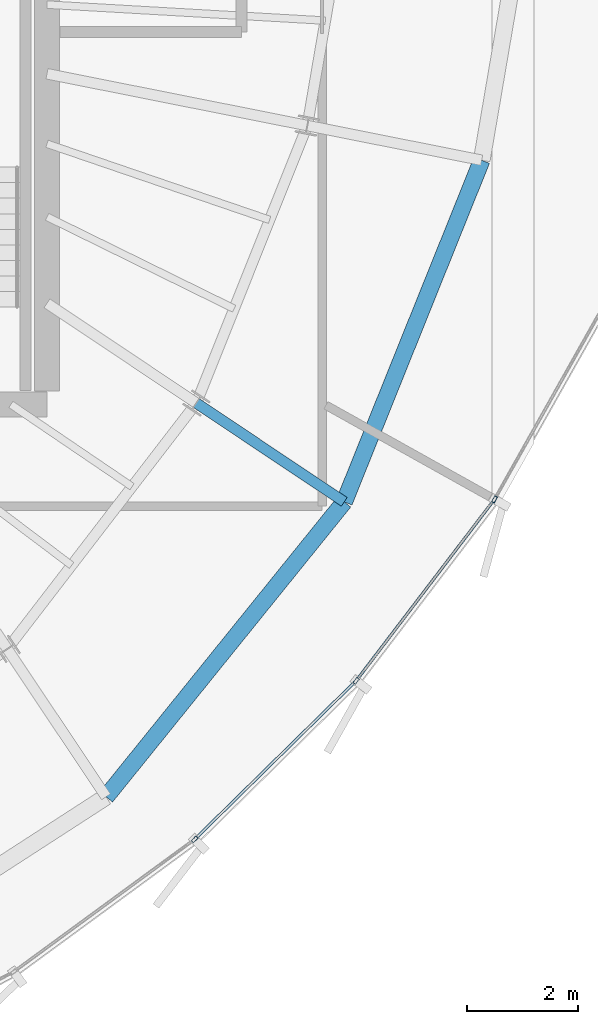
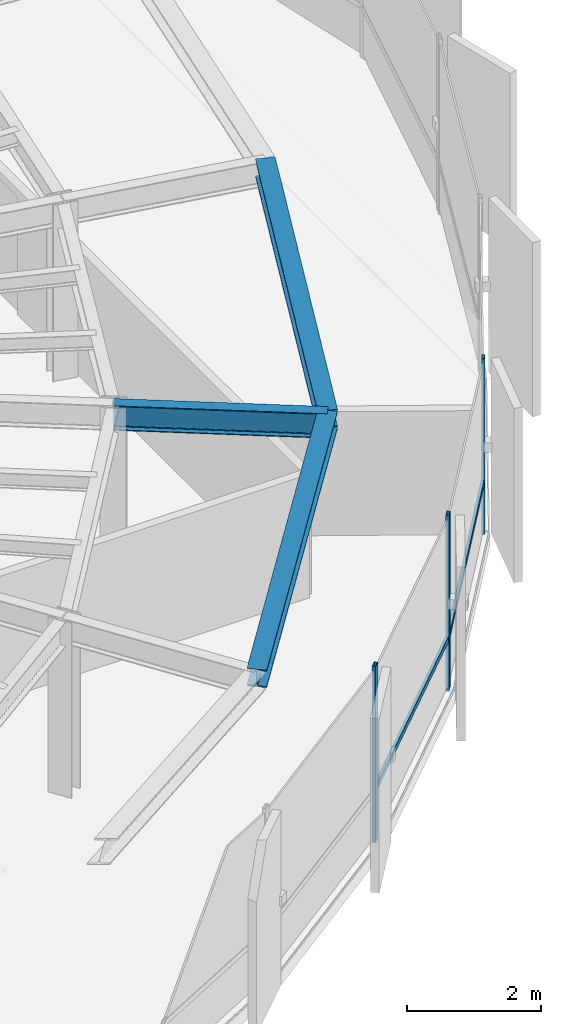
# One storey, part 13 of 34: 5 members, 3 beams, 1 element without a shape of its own.
"""IFC4 building model written with IfcOpenShell, lengths in metres."""

import ifcopenshell
import ifcopenshell.guid

model = None  # the IFC model being written
_history = None  # IfcOwnerHistory: only IFC2X3 demands one
_inside = {}  # id of a spatial element -> (the spatial element, [elements in it])
_under = {}  # id of a project, library or spatial element -> (it, [spatial elements below it])
_declared = {}  # id of a project -> (the project, [libraries it declares])
_typed = {}  # id of a type object -> (the type object, [elements of that type])
_made_of = {}  # id of a material, layer set ... -> (it, [elements and type objects made of it])


def new_model(schema):
    """Start an empty IFC model of exactly this schema.

    Asked for "IFC4X3", IfcOpenShell would pick the latest addendum, in which some entities
    have other attributes; the version numbers below select the first issue.
    IFC2X3 requires an IfcOwnerHistory on every rooted entity: one is made here for all.
    """
    global model, _history
    if schema == "IFC4X3":
        model = ifcopenshell.file(schema_version=(4, 3, 0, 0))
    else:
        model = ifcopenshell.file(schema=schema)
    _inside.clear()
    _under.clear()
    _declared.clear()
    _typed.clear()
    _made_of.clear()
    _history = None
    if model.schema == "IFC2X3":
        org = make("IfcOrganization", Name="unknown")
        user = make(
            "IfcPersonAndOrganization",
            ThePerson=make("IfcPerson", FamilyName="unknown"),
            TheOrganization=org,
        )
        app = make(
            "IfcApplication",
            ApplicationDeveloper=org,
            Version="unknown",
            ApplicationFullName="unknown",
            ApplicationIdentifier="unknown",
        )
        _history = make(
            "IfcOwnerHistory",
            OwningUser=user,
            OwningApplication=app,
            ChangeAction="ADDED",
            CreationDate=0,
        )
    return model


def make(cls, **values):
    """One entity of the class cls with the attributes given. An attribute that is None is left unset."""
    return model.create_entity(
        cls, **{name: value for name, value in values.items() if value is not None}
    )


def rooted(cls, **values):
    """An entity with a GlobalId (a new one), such as an element, a storey or a relation."""
    return make(cls, GlobalId=ifcopenshell.guid.new(), OwnerHistory=_history, **values)


def si_unit(unit_type, name, prefix=None):
    """IfcSIUnit, for example si_unit("LENGTHUNIT", "METRE", prefix="MILLI")."""
    return make("IfcSIUnit", UnitType=unit_type, Prefix=prefix, Name=name)


def assignment(units):
    """IfcUnitAssignment: the units of a project."""
    return None if units is None else make("IfcUnitAssignment", Units=units)


def point(xyz):
    """IfcCartesianPoint."""
    return None if xyz is None else make("IfcCartesianPoint", Coordinates=xyz)


def direction(xyz):
    """IfcDirection."""
    return None if xyz is None else make("IfcDirection", DirectionRatios=xyz)


def frame(location, z_axis=None, x_axis=None):
    """IfcAxis2Placement3D, a coordinate frame: its origin and axes. An axis left out is left unset."""
    return make(
        "IfcAxis2Placement3D",
        Location=point(location),
        Axis=direction(z_axis),
        RefDirection=direction(x_axis),
    )


def frame_2d(location, x_axis=None):
    """IfcAxis2Placement2D, a coordinate frame in the plane: its origin and x axis."""
    return make(
        "IfcAxis2Placement2D", Location=point(location), RefDirection=direction(x_axis)
    )


def origin():
    """The frame at (0, 0, 0) with its axes left unset."""
    return frame((0.0, 0.0, 0.0))


def origin_2d():
    """The frame at (0, 0) in the plane with its x axis left unset."""
    return frame_2d((0.0, 0.0))


def place(relative_to, where):
    """IfcLocalPlacement: puts the frame where relative to a parent placement (None: the world)."""
    return make(
        "IfcLocalPlacement", PlacementRelTo=relative_to, RelativePlacement=where
    )


def context(
    kind, dimensions, precision=None, world=None, true_north=None, identifier=None
):
    """IfcGeometricRepresentationContext, for example the 3D "Model" context."""
    return make(
        "IfcGeometricRepresentationContext",
        ContextIdentifier=identifier,
        ContextType=kind,
        CoordinateSpaceDimension=dimensions,
        Precision=precision,
        WorldCoordinateSystem=world,
        TrueNorth=true_north,
    )


def subcontext(parent, identifier, kind, view, scale=None):
    """IfcGeometricRepresentationSubContext, for example "Body" below "Model"."""
    return make(
        "IfcGeometricRepresentationSubContext",
        ContextIdentifier=identifier,
        ContextType=kind,
        ParentContext=parent,
        TargetScale=scale,
        TargetView=view,
    )


def project(units=None, contexts=None):
    """IfcProject with its units and contexts."""
    return rooted(
        "IfcProject",
        Name="project",
        RepresentationContexts=contexts,
        UnitsInContext=assignment(units),
    )


def spatial(cls, under=None, at=None, **own):
    """A site, building, storey or space (cls), placed at a placement, below another one or the project."""
    s = rooted(cls, ObjectPlacement=at, **own)
    if under is not None:
        _under.setdefault(under.id(), (under, []))[1].append(s)
    return s


def profile(cls, at=None, kind="AREA", **sizes):
    """A parametric profile (cls). Its sizes go by their IFC names, for example OverallWidth=200.0."""
    return make(cls, ProfileType=kind, Position=at, **sizes)


def hollow_rectangle(**sizes):
    """IfcRectangleHollowProfileDef."""
    return profile("IfcRectangleHollowProfileDef", **sizes)


def i_section(**sizes):
    """IfcIShapeProfileDef."""
    return profile("IfcIShapeProfileDef", **sizes)


def extrude(swept, where, along, depth):
    """IfcExtrudedAreaSolid: the profile swept, set in the frame where, extruded along a direction by depth."""
    return make(
        "IfcExtrudedAreaSolid",
        SweptArea=swept,
        Position=where,
        ExtrudedDirection=direction(along),
        Depth=depth,
    )


def shape(context_of_items, identifier, shape_type, items):
    """IfcShapeRepresentation: the items that make up one representation, for example the "Body"."""
    return make(
        "IfcShapeRepresentation",
        ContextOfItems=context_of_items,
        RepresentationIdentifier=identifier,
        RepresentationType=shape_type,
        Items=items,
    )


def source(mapping_origin, context_of_items, identifier, shape_type, items):
    """IfcRepresentationMap: a shape defined once, which mapped items show again and again."""
    return make(
        "IfcRepresentationMap",
        MappingOrigin=mapping_origin,
        MappedRepresentation=shape(context_of_items, identifier, shape_type, items),
    )


def transform(
    local_origin,
    x_axis=None,
    y_axis=None,
    z_axis=None,
    scale=None,
    scale2=None,
    scale3=None,
    uniform=True,
):
    """IfcCartesianTransformationOperator3D, or its non-uniform kind. x_axis, y_axis, z_axis: its Axis1, 2, 3."""
    if uniform:
        return make(
            "IfcCartesianTransformationOperator3D",
            Axis1=direction(x_axis),
            Axis2=direction(y_axis),
            LocalOrigin=point(local_origin),
            Scale=scale,
            Axis3=direction(z_axis),
        )
    return make(
        "IfcCartesianTransformationOperator3DnonUniform",
        Axis1=direction(x_axis),
        Axis2=direction(y_axis),
        LocalOrigin=point(local_origin),
        Scale=scale,
        Axis3=direction(z_axis),
        Scale2=scale2,
        Scale3=scale3,
    )


def mapped(mapping_source, mapping_target):
    """IfcMappedItem: shows the shape of a source again, moved by a transform."""
    return make(
        "IfcMappedItem", MappingSource=mapping_source, MappingTarget=mapping_target
    )


def material(Name=None, Category=None):
    """IfcMaterial."""
    return make("IfcMaterial", Name=Name, Category=Category)


def layer(
    of_material, thickness, ventilated=None, Name=None, Category=None, Priority=None
):
    """IfcMaterialLayer: one layer of a wall or slab, of a material (None: an air gap)."""
    return make(
        "IfcMaterialLayer",
        Material=of_material,
        LayerThickness=thickness,
        IsVentilated=ventilated,
        Name=Name,
        Category=Category,
        Priority=Priority,
    )


def layer_set(layers, Name=None):
    """IfcMaterialLayerSet."""
    return make("IfcMaterialLayerSet", MaterialLayers=layers, LayerSetName=Name)


def material_profile(
    of_material, cross_section, Name=None, Category=None, Priority=None
):
    """IfcMaterialProfile: a cross section and its material."""
    return make(
        "IfcMaterialProfile",
        Name=Name,
        Material=of_material,
        Profile=cross_section,
        Priority=Priority,
        Category=Category,
    )


def profile_set(profiles, Name=None, composite=None):
    """IfcMaterialProfileSet."""
    return make(
        "IfcMaterialProfileSet",
        Name=Name,
        MaterialProfiles=profiles,
        CompositeProfile=composite,
    )


def made_of(thing, what):
    """Note that an element or type object is made of a material, layer set ...; save() writes the relation."""
    if what is not None:
        _made_of.setdefault(what.id(), (what, []))[1].append(thing)
    return thing


def type_object(cls, material=None, **own):
    """A type object (cls), such as IfcWallType, which elements share."""
    return made_of(rooted(cls, **own), material)


def element(
    cls,
    number,
    at=None,
    inside=None,
    cuts=None,
    type_object=None,
    material=None,
    context=None,
    identifier="Body",
    shape_type=None,
    held_by="IfcProductDefinitionShape",
    body=None,
    shapes=None,
    **own,
):
    """One element of the class cls, such as IfcWall. Its Tag is "e" and its number.

    at: its placement. inside: the storey or other place that contains it. cuts: it is an
    opening in that element (IfcRelVoidsElement). A single representation is given by context,
    identifier, shape_type and body (its items); several are given by shapes. held_by: the class
    of the entity that holds the representations. save() writes the other relations.
    """
    e = rooted(cls, Tag="e%d" % number, ObjectPlacement=at, **own)
    if body is not None:
        shapes = [shape(context, identifier, shape_type, body)]
    if shapes is not None:
        e.Representation = make(held_by, Representations=shapes)
    if inside is not None:
        _inside.setdefault(inside.id(), (inside, []))[1].append(e)
    if cuts is not None:
        rooted(
            "IfcRelVoidsElement", RelatingBuildingElement=cuts, RelatedOpeningElement=e
        )
    if type_object is not None:
        _typed.setdefault(type_object.id(), (type_object, []))[1].append(e)
    return made_of(e, material)


def aggregate(whole, parts):
    """IfcRelAggregates: a whole, such as a stair, and the parts it consists of."""
    return rooted("IfcRelAggregates", RelatingObject=whole, RelatedObjects=parts)


def save(model, path):
    """Write the relations noted so far, then the file.

    IfcRelAggregates (storeys below a building ...), IfcRelContainedInSpatialStructure (elements
    in a storey), IfcRelDefinesByType, IfcRelAssociatesMaterial and IfcRelDeclares: one each for
    every whole, place, type object, material and project.
    """
    for whole, parts in _under.values():
        aggregate(whole, parts)
    for where, things in _inside.values():
        rooted(
            "IfcRelContainedInSpatialStructure",
            RelatedElements=things,
            RelatingStructure=where,
        )
    for kind, things in _typed.values():
        rooted("IfcRelDefinesByType", RelatedObjects=things, RelatingType=kind)
    for what, things in _made_of.values():
        rooted("IfcRelAssociatesMaterial", RelatedObjects=things, RelatingMaterial=what)
    for by, libraries in _declared.values():
        rooted("IfcRelDeclares", RelatingContext=by, RelatedDefinitions=libraries)
    model.write(path)


model = new_model("IFC4")

# Units and contexts
model_context = context("Model", 3, precision=1e-05, world=origin(), true_north=direction((0.0, 1.0)))
body_context = subcontext(model_context, "Body", "Model", "MODEL_VIEW")
ifc_project = project(units=[si_unit("LENGTHUNIT", "METRE"), si_unit("AREAUNIT", "SQUARE_METRE"), si_unit("VOLUMEUNIT", "CUBIC_METRE"), si_unit("PLANEANGLEUNIT", "RADIAN"), si_unit("MASSUNIT", "GRAM", prefix="KILO"), si_unit("THERMODYNAMICTEMPERATUREUNIT", "KELVIN")], contexts=[model_context])

# Site, building, storey
site_placement = place(None, origin())
site = spatial("IfcSite", under=ifc_project, at=site_placement, CompositionType="ELEMENT")
building_placement = place(site_placement, origin())
building = spatial("IfcBuilding", under=site, at=building_placement, Name="Kethvar Cultural Tower", CompositionType="ELEMENT")
storey_placement = place(building_placement, frame((0.0, 0.0, 231.85009765625)))
storey = spatial("IfcBuildingStorey", under=building, at=storey_placement, Name="L60", CompositionType="ELEMENT", Elevation=231.85009765625)

# Beams
ifc_material_1 = material(Name="Steel S355J2", Category="steel")
ifc_material_profile_1 = material_profile(ifc_material_1, i_section(OverallWidth=0.18994140625, OverallDepth=0.449951171875, WebThickness=0.009521484375, FlangeThickness=0.0146484375, FilletRadius=0.02099609375, at=origin_2d()), Name="Steel S355J2 — IPE450")
ifc_profile_set_1 = profile_set([ifc_material_profile_1], Name="Steel S355J2 — IPE450")
beam_type_1 = type_object("IfcBeamType", Name="BM-IPE450", PredefinedType="BEAM", material=ifc_profile_set_1)
shared_shape_1 = source(origin(), body_context, "Body", "SweptSolid", [
    extrude(i_section(OverallWidth=0.18994140625, OverallDepth=0.449951171875, WebThickness=0.009521484375, FlangeThickness=0.0146484375, FilletRadius=0.02099609375, at=origin_2d()), origin(), (0.0, 0.0, 1.0), 3.199951171875),
])
beam_1_placement = place(storey_placement, frame((58.287109375, 20.12451171875, 2.98291015625), z_axis=(0.831462943996, -0.555580212716, 0.0), x_axis=(0.555580212716, 0.831462943996, 0.0)))
element("IfcBeam", 1, at=beam_1_placement, inside=storey, type_object=beam_type_1, Name="L60 Perimeter Cantilever Beam RC-15", PredefinedType="BEAM", context=body_context, shape_type="MappedRepresentation", body=[
    mapped(shared_shape_1, transform((0.0, 0.0, 0.0), scale=1.0)),
])
ifc_material_profile_2 = material_profile(ifc_material_1, i_section(OverallWidth=0.300048828125, OverallDepth=0.320068359375, WebThickness=0.011474609375, FlangeThickness=0.0205078125, FilletRadius=0.027099609375, at=origin_2d()), Name="Steel S355J2 — HEB320")
ifc_profile_set_2 = profile_set([ifc_material_profile_2], Name="Steel S355J2 — HEB320")
beam_type_2 = type_object("IfcBeamType", Name="BM-SP320", PredefinedType="SPANDREL", material=ifc_profile_set_2)
shared_shape_2 = source(origin(), body_context, "Body", "SweptSolid", [
    extrude(i_section(OverallWidth=0.300048828125, OverallDepth=0.320068359375, WebThickness=0.011474609375, FlangeThickness=0.0205078125, FilletRadius=0.027099609375, at=origin_2d()), origin(), (0.0, 0.0, 1.0), 6.8212890625),
])
beam_2_placement = place(storey_placement, frame((56.66259765625, 13.039306640625, 3.0478515625), z_axis=(0.628197971595, 0.778053538315, 0.0), x_axis=(-0.778053538315, 0.628197971595, 0.0)))
element("IfcBeam", 2, at=beam_2_placement, inside=storey, type_object=beam_type_2, Name="L60 Perimeter Spandrel Beam SP-14", PredefinedType="SPANDREL", context=body_context, shape_type="MappedRepresentation", body=[
    mapped(shared_shape_2, transform((0.0, 0.0, 0.0), scale=1.0)),
])
shared_shape_3 = source(origin(), body_context, "Body", "SweptSolid", [
    extrude(i_section(OverallWidth=0.300048828125, OverallDepth=0.320068359375, WebThickness=0.011474609375, FlangeThickness=0.0205078125, FilletRadius=0.027099609375, at=origin_2d()), origin(), (0.0, 0.0, 1.0), 6.626220703125),
])
beam_3_placement = place(storey_placement, frame((60.94775390625, 18.3466796875, 3.0478515625), z_axis=(0.373416224197, 0.927663906545, 0.0), x_axis=(-0.927663906545, 0.373416224197, 0.0)))
element("IfcBeam", 3, at=beam_3_placement, inside=storey, type_object=beam_type_2, Name="L60 Perimeter Spandrel Beam SP-15", PredefinedType="SPANDREL", context=body_context, shape_type="MappedRepresentation", body=[
    mapped(shared_shape_3, transform((0.0, 0.0, 0.0), scale=1.0)),
])

# Curtain wall, members
ifc_material_2 = material(Name="Aluminium 6063-T6", Category="aluminium")
ifc_layer = layer(ifc_material_2, 0.179931640625, Name="Aluminium 6063-T6", Category="aluminium")
ifc_layer_set = layer_set([ifc_layer], Name="Aluminium 6063-T6 (180 mm)")
curtain_wall_type = type_object("IfcCurtainWallType", Name="CW-SYS-05-Z56", PredefinedType="NOTDEFINED", material=ifc_layer_set)
curtain_wall_placement = place(storey_placement, origin())
curtain_wall = element("IfcCurtainWall", 4, at=curtain_wall_placement, inside=storey, type_object=curtain_wall_type, Name="L60 Curtain Wall Run 05", PredefinedType="NOTDEFINED")
ifc_material_profile_3 = material_profile(ifc_material_2, hollow_rectangle(XDim=0.054931640625, YDim=0.1201171875, WallThickness=0.00390625, at=origin_2d()), Name="Aluminium 6063-T6 — RHS120x55x4")
ifc_profile_set_3 = profile_set([ifc_material_profile_3], Name="Aluminium 6063-T6 — RHS120x55x4")
member_type_1 = type_object("IfcMemberType", Name="CW-SYS-05-Z56-MUL", PredefinedType="MULLION", material=ifc_profile_set_3)
shared_shape_4 = source(origin(), body_context, "Body", "SweptSolid", [
    extrude(hollow_rectangle(XDim=0.054931640625, YDim=0.1201171875, WallThickness=0.00390625, at=origin_2d()), origin(), (0.0, 0.0, 1.0), 3.2099609375),
])
member_1_placement = place(storey_placement, frame((58.255615234375, 12.27294921875, 0.0), z_axis=(0.0, 0.0, 1.0), x_axis=(-0.700896815624, 0.71326268222, 0.0)))
member_1 = element("IfcMember", 5, at=member_1_placement, type_object=member_type_1, Name="CW-L60-R05 Mullion 3", PredefinedType="MULLION", context=body_context, shape_type="MappedRepresentation", body=[
    mapped(shared_shape_4, transform((0.0, 0.0, 0.0), scale=1.0)),
])
member_2_placement = place(storey_placement, frame((61.16259765625, 15.128173828125, 0.0), z_axis=(0.0, 0.0, 1.0), x_axis=(-0.79517724408, 0.606377069567, 0.0)))
member_2 = element("IfcMember", 6, at=member_2_placement, type_object=member_type_1, Name="CW-L60-R05 Mullion 4", PredefinedType="MULLION", context=body_context, shape_type="MappedRepresentation", body=[
    mapped(shared_shape_4, transform((0.0, 0.0, 0.0), scale=1.0)),
])
member_3_placement = place(storey_placement, frame((63.652587890625, 18.391845703125, 0.0), z_axis=(0.0, 0.0, 1.0), x_axis=(-0.871170968369, 0.490979779493, 0.0)))
member_3 = element("IfcMember", 7, at=member_3_placement, type_object=member_type_1, Name="CW-L60-R05 Mullion 5", PredefinedType="MULLION", context=body_context, shape_type="MappedRepresentation", body=[
    mapped(shared_shape_4, transform((0.0, 0.0, 0.0), scale=1.0)),
])
ifc_material_profile_4 = material_profile(ifc_material_2, hollow_rectangle(XDim=0.050048828125, YDim=0.10009765625, WallThickness=0.00390625, at=origin_2d()), Name="Aluminium 6063-T6 — RHS100x50x4")
ifc_profile_set_4 = profile_set([ifc_material_profile_4], Name="Aluminium 6063-T6 — RHS100x50x4")
member_type_2 = type_object("IfcMemberType", Name="CW-SYS-05-Z56-TRN", PredefinedType="USERDEFINED", material=ifc_profile_set_4)
shared_shape_5 = source(origin(), body_context, "Body", "SweptSolid", [
    extrude(hollow_rectangle(XDim=0.050048828125, YDim=0.10009765625, WallThickness=0.00390625, at=origin_2d()), origin(), (0.0, 0.0, 1.0), 4.03955078125),
])
member_4_placement = place(storey_placement, frame((61.186767578125, 15.15966796875, 0.949951171875), z_axis=(0.606372753185, 0.795180535598, 0.0), x_axis=(-0.795180535598, 0.606372753185, 0.0)))
member_4 = element("IfcMember", 8, at=member_4_placement, type_object=member_type_2, Name="CW-L60-R05 Transom 4", ObjectType="TRANSOM", PredefinedType="USERDEFINED", context=body_context, shape_type="MappedRepresentation", body=[
    mapped(shared_shape_5, transform((0.0, 0.0, 0.0), scale=1.0)),
])
shared_shape_6 = source(origin(), body_context, "Body", "SweptSolid", [
    extrude(hollow_rectangle(XDim=0.050048828125, YDim=0.10009765625, WallThickness=0.00390625, at=origin_2d()), origin(), (0.0, 0.0, 1.0), 4.009521484375),
])
member_5_placement = place(storey_placement, frame((58.283935546875, 12.30078125, 0.949951171875), z_axis=(0.713260060259, 0.700899483835, 0.0), x_axis=(-0.700899483835, 0.713260060259, 0.0)))
member_5 = element("IfcMember", 9, at=member_5_placement, type_object=member_type_2, Name="CW-L60-R05 Transom 3", ObjectType="TRANSOM", PredefinedType="USERDEFINED", context=body_context, shape_type="MappedRepresentation", body=[
    mapped(shared_shape_6, transform((0.0, 0.0, 0.0), scale=1.0)),
])
aggregate(curtain_wall, [member_1, member_2, member_3, member_5, member_4])

save(model, "model.ifc")
